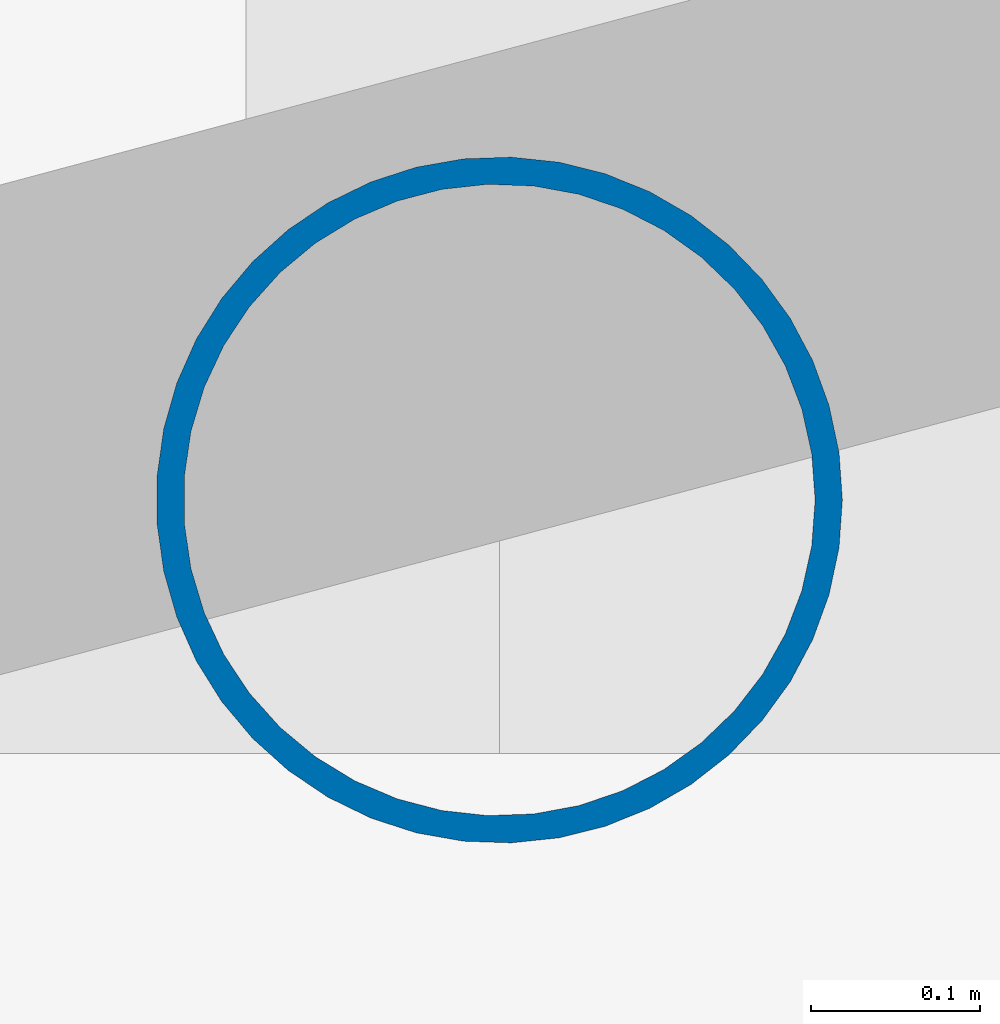
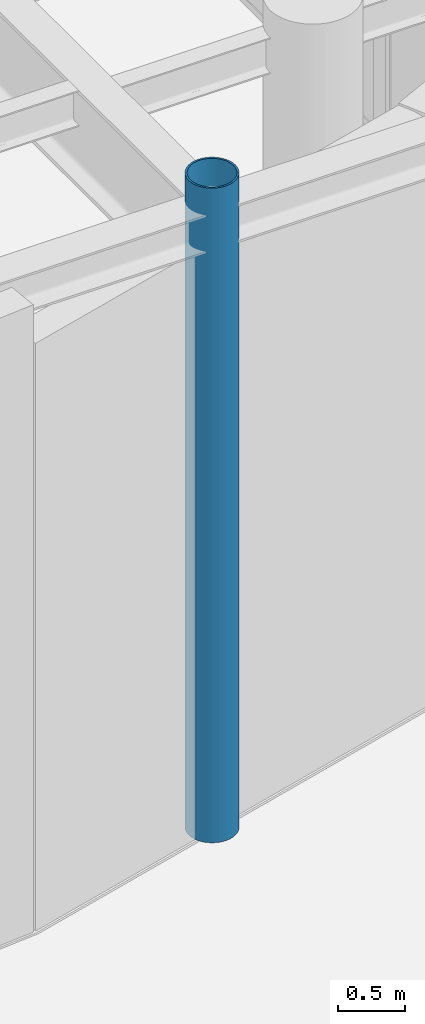
# One storey, part 6 of 118: 1 column.
"""IFC4 building model written with IfcOpenShell, lengths in metres."""

from ifc_helpers import new_model, si_unit, direction, frame, origin, origin_2d, place, context, subcontext, project, spatial, hollow_circle, extrude, material, material_profile, profile_set, type_object, element, save


model = new_model("IFC4")

# Units and contexts
model_context = context("Model", 3, precision=1e-05, world=origin(), true_north=direction((0.0, 1.0)))
body_context = subcontext(model_context, "Body", "Model", "MODEL_VIEW")
ifc_project = project(units=[si_unit("LENGTHUNIT", "METRE"), si_unit("AREAUNIT", "SQUARE_METRE"), si_unit("VOLUMEUNIT", "CUBIC_METRE"), si_unit("PLANEANGLEUNIT", "RADIAN"), si_unit("MASSUNIT", "GRAM", prefix="KILO")], contexts=[model_context])

# Site, building, storey
site_placement = place(None, origin())
site = spatial("IfcSite", under=ifc_project, at=site_placement, CompositionType="ELEMENT")
building_placement = place(site_placement, origin())
building = spatial("IfcBuilding", under=site, at=building_placement, Name="Kolvaren Corner Interchange", CompositionType="ELEMENT")
storey_placement = place(building_placement, origin())
storey = spatial("IfcBuildingStorey", under=building, at=storey_placement, Name="L01", CompositionType="ELEMENT", Elevation=0.0)

# Column
ifc_material = material(Name="Steel S355", Category="steel")
ifc_material_profile = material_profile(ifc_material, hollow_circle(Radius=0.203125, WallThickness=0.01611328125, at=origin_2d()), Name="CHS 406.4x16.0")
ifc_profile_set = profile_set([ifc_material_profile], Name="Steel S355")
column_type = type_object("IfcColumnType", Name="COL-CHS406", PredefinedType="COLUMN", material=ifc_profile_set)
column_placement = place(storey_placement, frame((126.0, 24.89990234375, 0.0), z_axis=(0.0, 0.0, 1.0), x_axis=(1.0, 0.0, 0.0)))
element("IfcColumn", 1, at=column_placement, inside=storey, type_object=column_type, Name="Storey L01 Structural Column 0731", PredefinedType="COLUMN", context=body_context, shape_type="SweptSolid", body=[
    extrude(hollow_circle(Radius=0.203125, WallThickness=0.01611328125, at=origin_2d()), origin(), (0.0, 0.0, 1.0), 6.0),
])

save(model, "model.ifc")
